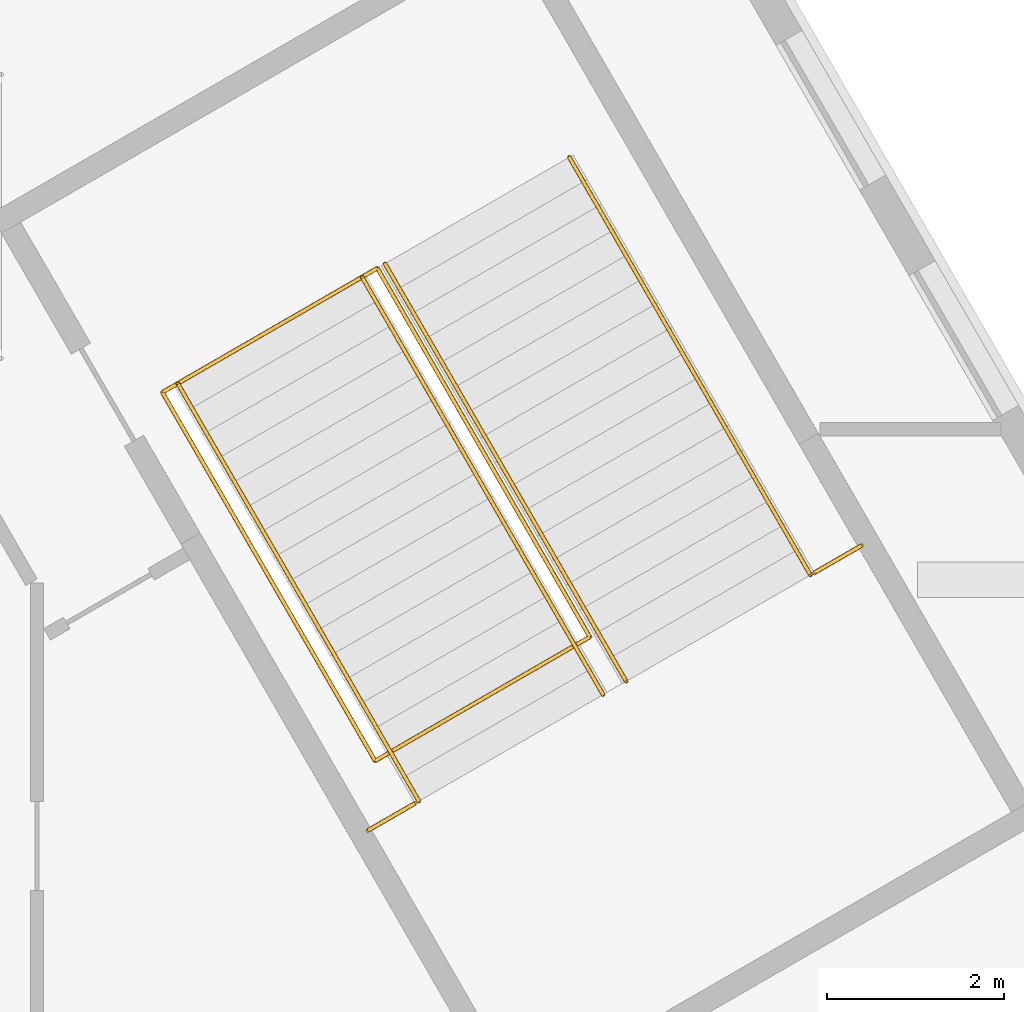
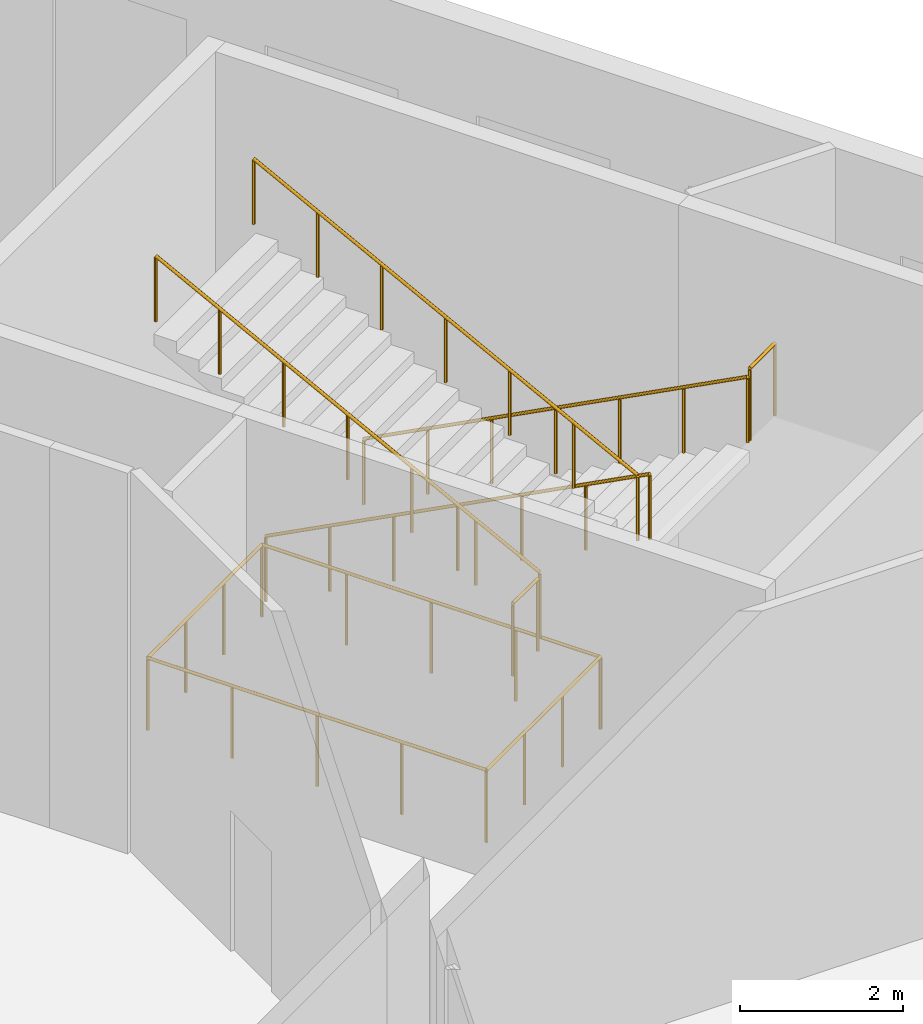
# One storey, part 13 of 16: 7 railings.
"""IFC4 building model written with IfcOpenShell, lengths in metres."""

from ifc_helpers import new_model, si_unit, direction, frame, origin, origin_2d, place, context, subcontext, project, spatial, circle, extrude, material, type_object, element, save


model = new_model("IFC4")

# Units and contexts
model_context = context("Model", 3, precision=1e-05, world=origin(), true_north=direction((0.0, 1.0)))
body_context = subcontext(model_context, "Body", "Model", "MODEL_VIEW")
ifc_project = project(units=[si_unit("LENGTHUNIT", "METRE"), si_unit("AREAUNIT", "SQUARE_METRE"), si_unit("VOLUMEUNIT", "CUBIC_METRE"), si_unit("PLANEANGLEUNIT", "RADIAN"), si_unit("MASSUNIT", "GRAM", prefix="KILO")], contexts=[model_context])

# Site, building, storey
site_placement = place(None, origin())
site = spatial("IfcSite", under=ifc_project, at=site_placement, CompositionType="ELEMENT")
building_placement = place(site_placement, origin())
building = spatial("IfcBuilding", under=site, at=building_placement, Name="Fogline Exchange Tower", CompositionType="ELEMENT")
storey_placement = place(building_placement, frame((0.0, 0.0, 14.0)))
storey = spatial("IfcBuildingStorey", under=building, at=storey_placement, Name="L02", CompositionType="ELEMENT", Elevation=14.0)

# Railings
ifc_material = material(Name="Steel Q235B", Category="steel")
railing_type_1 = type_object("IfcRailingType", Name="PG1", PredefinedType="GUARDRAIL", material=ifc_material)
railing_1_placement = place(storey_placement, frame((31.63818359375, 17.360107421875, 0.0)))
element("IfcRailing", 1, at=railing_1_placement, inside=storey, type_object=railing_type_1, Name="Stair well guard ST5", PredefinedType="GUARDRAIL", context=body_context, shape_type="SweptSolid", body=[
    extrude(circle(Radius=0.02392578125, at=origin_2d()), frame((0.0, 0.0, 1.076171875), z_axis=(-0.866034573852, -0.49998411664, 0.0), x_axis=(0.49998411664, -0.866034573852, 0.0)), (0.0, 0.0, 1.0), 2.7998046875),
    extrude(circle(Radius=0.02392578125, at=origin_2d()), frame((-2.4248046875, -1.39990234375, 1.076171875), z_axis=(-0.499980858223, 0.866036455013, 0.0), x_axis=(-0.866036455013, -0.499980858223, 0.0)), (0.0, 0.0, 1.0), 4.798095703125),
    extrude(circle(Radius=0.02392578125, at=origin_2d()), frame((-4.82373046875, 2.75537109375, 1.076171875), z_axis=(0.866034573852, 0.49998411664, 0.0), x_axis=(-0.49998411664, 0.866034573852, 0.0)), (0.0, 0.0, 1.0), 2.7998046875),
    extrude(circle(Radius=0.02392578125, at=origin_2d()), frame((-2.39892578125, 4.1552734375, 1.076171875), z_axis=(0.499073298258, -0.866559774606, 0.0), x_axis=(0.866559774606, 0.499073298258, 0.0)), (0.0, 0.0, 1.0), 4.7978515625),
    extrude(circle(Radius=0.02099609375, at=origin_2d()), origin(), (0.0, 0.0, 1.0), 1.052001953125),
    extrude(circle(Radius=0.02099609375, at=origin_2d()), frame((-0.808349609375, -0.466552734375, 0.0)), (0.0, 0.0, 1.0), 1.052001953125),
    extrude(circle(Radius=0.02099609375, at=origin_2d()), frame((-1.616455078125, -0.933349609375, 0.0)), (0.0, 0.0, 1.0), 1.052001953125),
    extrude(circle(Radius=0.02099609375, at=origin_2d()), frame((-2.4248046875, -1.39990234375, 0.0)), (0.0, 0.0, 1.0), 1.052001953125),
    extrude(circle(Radius=0.02099609375, at=origin_2d()), frame((-3.0244140625, -0.361083984375, 0.0)), (0.0, 0.0, 1.0), 1.052001953125),
    extrude(circle(Radius=0.02099609375, at=origin_2d()), frame((-3.624267578125, 0.677734375, 0.0)), (0.0, 0.0, 1.0), 1.052001953125),
    extrude(circle(Radius=0.02099609375, at=origin_2d()), frame((-4.22412109375, 1.716552734375, 0.0)), (0.0, 0.0, 1.0), 1.052001953125),
    extrude(circle(Radius=0.02099609375, at=origin_2d()), frame((-4.82373046875, 2.75537109375, 0.0)), (0.0, 0.0, 1.0), 1.052001953125),
    extrude(circle(Radius=0.02099609375, at=origin_2d()), frame((-4.015380859375, 3.221923828125, 0.0)), (0.0, 0.0, 1.0), 1.052001953125),
    extrude(circle(Radius=0.02099609375, at=origin_2d()), frame((-3.207275390625, 3.688720703125, 0.0)), (0.0, 0.0, 1.0), 1.052001953125),
    extrude(circle(Radius=0.02099609375, at=origin_2d()), frame((-2.39892578125, 4.1552734375, 0.0)), (0.0, 0.0, 1.0), 1.052001953125),
    extrude(circle(Radius=0.02099609375, at=origin_2d()), frame((-1.80029296875, 3.11572265625, 0.0)), (0.0, 0.0, 1.0), 1.052001953125),
    extrude(circle(Radius=0.02099609375, at=origin_2d()), frame((-1.20166015625, 2.076416015625, 0.0)), (0.0, 0.0, 1.0), 1.052001953125),
    extrude(circle(Radius=0.02099609375, at=origin_2d()), frame((-0.60302734375, 1.037109375, 0.0)), (0.0, 0.0, 1.0), 1.052001953125),
    extrude(circle(Radius=0.02099609375, at=origin_2d()), frame((-0.00439453125, -0.00244140625, 0.0)), (0.0, 0.0, 1.0), 1.052001953125),
])
railing_2_placement = place(storey_placement, frame((34.69921875, 18.38818359375, 3.0)))
element("IfcRailing", 2, at=railing_2_placement, inside=storey, type_object=railing_type_1, Name="Landing guard ST5", PredefinedType="GUARDRAIL", context=body_context, shape_type="SweptSolid", body=[
    extrude(circle(Radius=0.02392578125, at=origin_2d()), frame((0.0, 0.0, 1.076171875), z_axis=(-0.86615915044, -0.499768272412, 0.0), x_axis=(0.499768272412, -0.86615915044, 0.0)), (0.0, 0.0, 1.0), 0.614990234375),
    extrude(circle(Radius=0.02099609375, at=origin_2d()), origin(), (0.0, 0.0, 1.0), 1.052001953125),
    extrude(circle(Radius=0.02099609375, at=origin_2d()), frame((-0.53271484375, -0.307373046875, 0.0)), (0.0, 0.0, 1.0), 1.052001953125),
])
railing_3_placement = place(storey_placement, frame((29.6630859375, 15.480712890625, 3.0)))
element("IfcRailing", 3, at=railing_3_placement, inside=storey, type_object=railing_type_1, Name="Landing guard ST5", PredefinedType="GUARDRAIL", context=body_context, shape_type="SweptSolid", body=[
    extrude(circle(Radius=0.02392578125, at=origin_2d()), frame((0.0, 0.0, 1.076171875), z_axis=(-0.866059952115, -0.49994015576, 0.0), x_axis=(0.49994015576, -0.866059952115, 0.0)), (0.0, 0.0, 1.0), 0.61474609375),
    extrude(circle(Radius=0.02099609375, at=origin_2d()), origin(), (0.0, 0.0, 1.0), 1.052001953125),
    extrude(circle(Radius=0.02099609375, at=origin_2d()), frame((-0.532470703125, -0.307373046875, 0.0)), (0.0, 0.0, 1.0), 1.052001953125),
])
railing_type_2 = type_object("IfcRailingType", Name="PH1", PredefinedType="HANDRAIL", material=ifc_material)
railing_4_placement = place(storey_placement, frame((29.324951171875, 21.56689453125, 0.166748046875)))
element("IfcRailing", 4, at=railing_4_placement, inside=storey, type_object=railing_type_2, Name="Handrail ST5", PredefinedType="HANDRAIL", context=body_context, shape_type="SweptSolid", body=[
    extrude(circle(Radius=0.02392578125, at=origin_2d()), frame((0.0, 0.0, 0.97607421875), z_axis=(0.443455731556, -0.768096692562, 0.461924761216), x_axis=(0.866027894023, 0.499995686755, 0.0)), (0.0, 0.0, 1.0), 6.133544921875),
    extrude(circle(Radius=0.02099609375, at=origin_2d()), origin(), (0.0, 0.0, 1.0), 0.951904296875),
    extrude(circle(Radius=0.02099609375, at=origin_2d()), frame((0.453369140625, -0.78515625, 0.47216796875)), (0.0, 0.0, 1.0), 0.951904296875),
    extrude(circle(Radius=0.02099609375, at=origin_2d()), frame((0.90673828125, -1.5703125, 0.9443359375)), (0.0, 0.0, 1.0), 0.951904296875),
    extrude(circle(Radius=0.02099609375, at=origin_2d()), frame((1.35986328125, -2.35546875, 1.41650390625)), (0.0, 0.0, 1.0), 0.951904296875),
    extrude(circle(Radius=0.02099609375, at=origin_2d()), frame((1.813232421875, -3.140869140625, 1.888916015625)), (0.0, 0.0, 1.0), 0.951904296875),
    extrude(circle(Radius=0.02099609375, at=origin_2d()), frame((2.2666015625, -3.926025390625, 2.361083984375)), (0.0, 0.0, 1.0), 0.951904296875),
    extrude(circle(Radius=0.02099609375, at=origin_2d()), frame((2.719970703125, -4.711181640625, 2.833251953125)), (0.0, 0.0, 1.0), 0.951904296875),
])
railing_5_placement = place(storey_placement, frame((31.4033203125, 22.76708984375, 0.166748046875)))
element("IfcRailing", 5, at=railing_5_placement, inside=storey, type_object=railing_type_2, Name="Handrail ST5", PredefinedType="HANDRAIL", context=body_context, shape_type="SweptSolid", body=[
    extrude(circle(Radius=0.02392578125, at=origin_2d()), frame((0.0, 0.0, 0.97607421875), z_axis=(0.443442173932, -0.768113012524, 0.461910638944), x_axis=(0.866039112897, 0.499976254368, 0.0)), (0.0, 0.0, 1.0), 6.1337890625),
    extrude(circle(Radius=0.02099609375, at=origin_2d()), origin(), (0.0, 0.0, 1.0), 0.951904296875),
    extrude(circle(Radius=0.02099609375, at=origin_2d()), frame((0.453369140625, -0.78515625, 0.47216796875)), (0.0, 0.0, 1.0), 0.951904296875),
    extrude(circle(Radius=0.02099609375, at=origin_2d()), frame((0.90673828125, -1.570556640625, 0.9443359375)), (0.0, 0.0, 1.0), 0.951904296875),
    extrude(circle(Radius=0.02099609375, at=origin_2d()), frame((1.35986328125, -2.355712890625, 1.41650390625)), (0.0, 0.0, 1.0), 0.951904296875),
    extrude(circle(Radius=0.02099609375, at=origin_2d()), frame((1.813232421875, -3.140869140625, 1.888916015625)), (0.0, 0.0, 1.0), 0.951904296875),
    extrude(circle(Radius=0.02099609375, at=origin_2d()), frame((2.2666015625, -3.92626953125, 2.361083984375)), (0.0, 0.0, 1.0), 0.951904296875),
    extrude(circle(Radius=0.02099609375, at=origin_2d()), frame((2.719970703125, -4.71142578125, 2.833251953125)), (0.0, 0.0, 1.0), 0.951904296875),
])
railing_6_placement = place(storey_placement, frame((31.784912109375, 16.705810546875, 3.166748046875)))
element("IfcRailing", 6, at=railing_6_placement, inside=storey, type_object=railing_type_2, Name="Handrail ST5", PredefinedType="HANDRAIL", context=body_context, shape_type="SweptSolid", body=[
    extrude(circle(Radius=0.02392578125, at=origin_2d()), frame((0.0, 0.0, 0.97607421875), z_axis=(-0.443423754331, 0.768110250208, 0.461932914632), x_axis=(-0.866047326822, -0.499962026263, 0.0)), (0.0, 0.0, 1.0), 6.133544921875),
    extrude(circle(Radius=0.02099609375, at=origin_2d()), origin(), (0.0, 0.0, 1.0), 0.951904296875),
    extrude(circle(Radius=0.02099609375, at=origin_2d()), frame((-0.453369140625, 0.78515625, 0.47216796875)), (0.0, 0.0, 1.0), 0.951904296875),
    extrude(circle(Radius=0.02099609375, at=origin_2d()), frame((-0.906494140625, 1.5703125, 0.9443359375)), (0.0, 0.0, 1.0), 0.951904296875),
    extrude(circle(Radius=0.02099609375, at=origin_2d()), frame((-1.35986328125, 2.35546875, 1.41650390625)), (0.0, 0.0, 1.0), 0.951904296875),
    extrude(circle(Radius=0.02099609375, at=origin_2d()), frame((-1.813232421875, 3.140869140625, 1.888916015625)), (0.0, 0.0, 1.0), 0.951904296875),
    extrude(circle(Radius=0.02099609375, at=origin_2d()), frame((-2.266357421875, 3.926025390625, 2.361083984375)), (0.0, 0.0, 1.0), 0.951904296875),
    extrude(circle(Radius=0.02099609375, at=origin_2d()), frame((-2.7197265625, 4.711181640625, 2.833251953125)), (0.0, 0.0, 1.0), 0.951904296875),
])
railing_7_placement = place(storey_placement, frame((29.70654296875, 15.505859375, 3.166748046875)))
element("IfcRailing", 7, at=railing_7_placement, inside=storey, type_object=railing_type_2, Name="Handrail ST5", PredefinedType="HANDRAIL", context=body_context, shape_type="SweptSolid", body=[
    extrude(circle(Radius=0.02392578125, at=origin_2d()), frame((0.0, 0.0, 0.97607421875), z_axis=(-0.443455731556, 0.768096692562, 0.461924761216), x_axis=(-0.866027894023, -0.499995686755, 0.0)), (0.0, 0.0, 1.0), 6.133544921875),
    extrude(circle(Radius=0.02099609375, at=origin_2d()), origin(), (0.0, 0.0, 1.0), 0.951904296875),
    extrude(circle(Radius=0.02099609375, at=origin_2d()), frame((-0.453369140625, 0.78515625, 0.47216796875)), (0.0, 0.0, 1.0), 0.951904296875),
    extrude(circle(Radius=0.02099609375, at=origin_2d()), frame((-0.90673828125, 1.5703125, 0.9443359375)), (0.0, 0.0, 1.0), 0.951904296875),
    extrude(circle(Radius=0.02099609375, at=origin_2d()), frame((-1.35986328125, 2.35546875, 1.41650390625)), (0.0, 0.0, 1.0), 0.951904296875),
    extrude(circle(Radius=0.02099609375, at=origin_2d()), frame((-1.813232421875, 3.140869140625, 1.888916015625)), (0.0, 0.0, 1.0), 0.951904296875),
    extrude(circle(Radius=0.02099609375, at=origin_2d()), frame((-2.2666015625, 3.926025390625, 2.361083984375)), (0.0, 0.0, 1.0), 0.951904296875),
    extrude(circle(Radius=0.02099609375, at=origin_2d()), frame((-2.719970703125, 4.711181640625, 2.833251953125)), (0.0, 0.0, 1.0), 0.951904296875),
])

save(model, "model.ifc")
